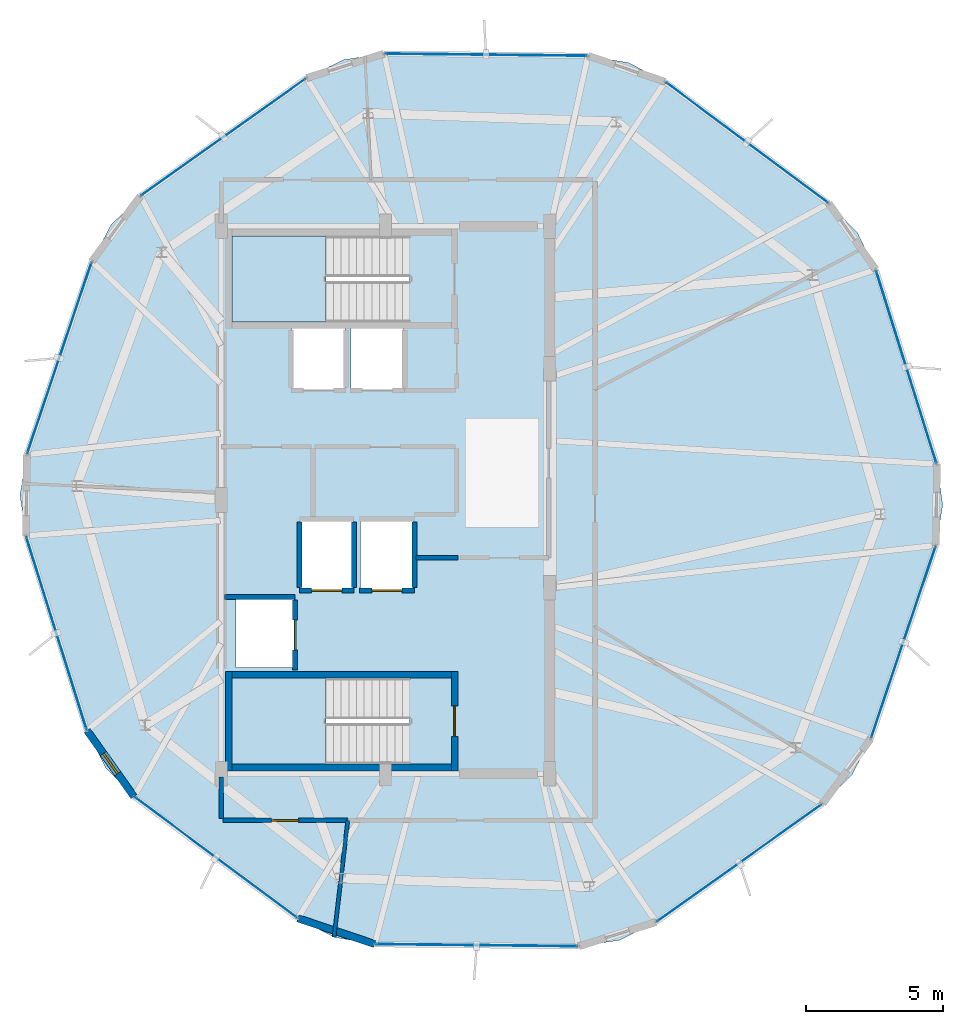
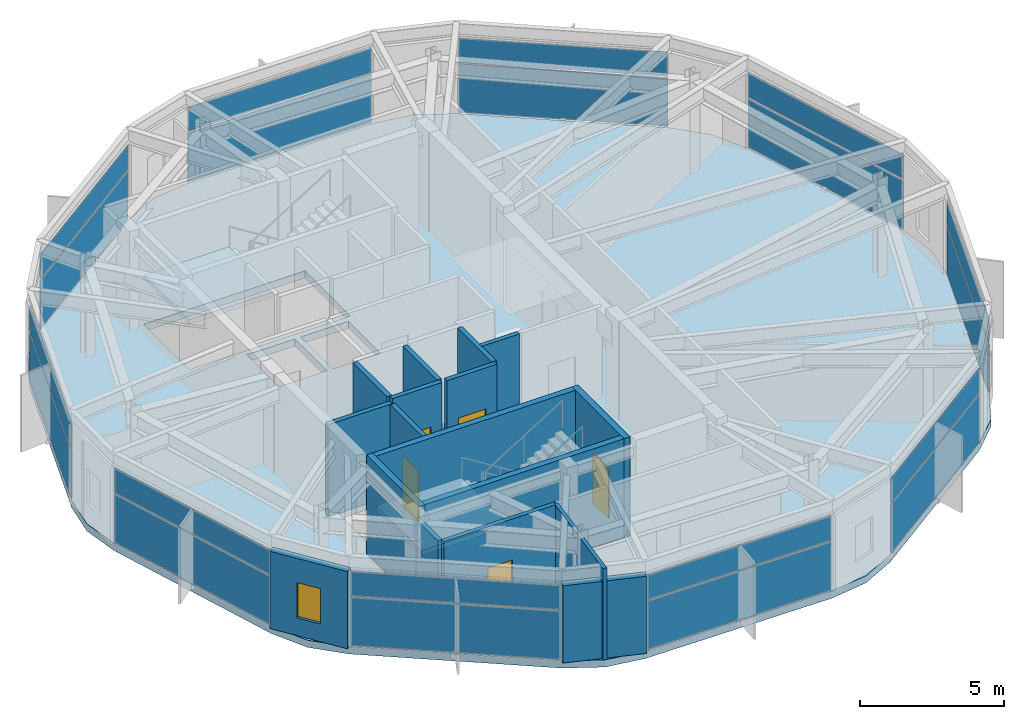
# One storey, part 14 of 19: 20 plates, 17 walls, 5 doors, 3 slabs, 1 window, 6 openings, 12 elements without a shape of their own.
"""IFC4 building model written with IfcOpenShell, lengths in metres."""

from ifc_helpers import new_model, si_unit, direction, frame, frame_2d, origin, origin_2d, place, context, subcontext, project, spatial, polyline, rectangle, outline, extrude, material, layer, layer_set, type_object, element, fill, aggregate, save


model = new_model("IFC4")

# Units and contexts
model_context = context("Model", 3, precision=1e-05, world=origin(), true_north=direction((0.0, 1.0)))
body_context = subcontext(model_context, "Body", "Model", "MODEL_VIEW")
ifc_project = project(units=[si_unit("LENGTHUNIT", "METRE"), si_unit("AREAUNIT", "SQUARE_METRE"), si_unit("VOLUMEUNIT", "CUBIC_METRE"), si_unit("PLANEANGLEUNIT", "RADIAN"), si_unit("MASSUNIT", "GRAM", prefix="KILO")], contexts=[model_context])

# Site, building, storey
site_placement = place(None, origin())
site = spatial("IfcSite", under=ifc_project, at=site_placement, CompositionType="ELEMENT")
building_placement = place(site_placement, origin())
building = spatial("IfcBuilding", under=site, at=building_placement, Name="Soratama Intermodal Tower", CompositionType="ELEMENT")
storey_placement = place(building_placement, frame((0.0, 0.0, 297.25)))
storey = spatial("IfcBuildingStorey", under=building, at=storey_placement, Name="L75", CompositionType="ELEMENT", Elevation=297.25)

# Curtain wall, plates
ifc_material_1 = material(Name="Double-glazed aluminium curtain wall", Category="aluminium")
ifc_layer_1 = layer(ifc_material_1, 0.159912109375)
ifc_layer_set_1 = layer_set([ifc_layer_1], Name="Double-glazed aluminium curtain wall")
curtain_wall_type = type_object("IfcCurtainWallType", Name="CW-SYS-6", PredefinedType="NOTDEFINED", material=ifc_layer_set_1)
curtain_wall_1_placement = place(storey_placement, origin())
curtain_wall_1 = element("IfcCurtainWall", 1, at=curtain_wall_1_placement, inside=storey, type_object=curtain_wall_type, Name="L75 Faceted Curtain Wall F01", PredefinedType="NOTDEFINED")
ifc_material_2 = material(Name="Low-E laminated double glazing", Category="glass")
ifc_layer_2 = layer(ifc_material_2, 0.01806640625)
ifc_layer_set_2 = layer_set([ifc_layer_2], Name="Low-E laminated double glazing")
plate_type = type_object("IfcPlateType", Name="PT-CWP-6", PredefinedType="CURTAIN_PANEL", material=ifc_layer_set_2)
plate_1_placement = place(storey_placement, frame((42.270263671875, 41.26220703125, 0.06005859375), z_axis=(0.0, 0.0, 1.0), x_axis=(-0.999945178506, 0.010470911273, 0.0)))
plate_1 = element("IfcPlate", 2, at=plate_1_placement, type_object=plate_type, Name="CW-6 panel 1.1", PredefinedType="CURTAIN_PANEL", context=body_context, shape_type="SweptSolid", body=[
    extrude(rectangle(XDim=7.3291015625, YDim=0.028076171875, at=origin_2d()), origin(), (0.0, 0.0, 1.0), 2.06005859375),
])
plate_2_placement = place(storey_placement, frame((42.270263671875, 41.26220703125, 2.18017578125), z_axis=(0.0, 0.0, 1.0), x_axis=(-0.999945178506, 0.010470911273, 0.0)))
plate_2 = element("IfcPlate", 3, at=plate_2_placement, type_object=plate_type, Name="CW-6 panel 1.2", PredefinedType="CURTAIN_PANEL", context=body_context, shape_type="SweptSolid", body=[
    extrude(rectangle(XDim=7.3291015625, YDim=0.028076171875, at=origin_2d()), origin(), (0.0, 0.0, 1.0), 1.033935546875),
])
aggregate(curtain_wall_1, [plate_1, plate_2])

curtain_wall_2_placement = place(storey_placement, origin())
curtain_wall_2 = element("IfcCurtainWall", 4, at=curtain_wall_2_placement, inside=storey, type_object=curtain_wall_type, Name="L75 Faceted Curtain Wall F02", PredefinedType="NOTDEFINED")
plate_3_placement = place(storey_placement, frame((32.67919921875, 38.256591796875, 0.06005859375), z_axis=(0.0, 0.0, 1.0), x_axis=(-0.815124359636, -0.579286007364, 0.0)))
plate_3 = element("IfcPlate", 5, at=plate_3_placement, type_object=plate_type, Name="CW-6 panel 1.1", PredefinedType="CURTAIN_PANEL", context=body_context, shape_type="SweptSolid", body=[
    extrude(rectangle(XDim=7.3291015625, YDim=0.028076171875, at=origin_2d()), origin(), (0.0, 0.0, 1.0), 2.06005859375),
])
plate_4_placement = place(storey_placement, frame((32.67919921875, 38.256591796875, 2.18017578125), z_axis=(0.0, 0.0, 1.0), x_axis=(-0.815124359636, -0.579286007364, 0.0)))
plate_4 = element("IfcPlate", 6, at=plate_4_placement, type_object=plate_type, Name="CW-6 panel 1.2", PredefinedType="CURTAIN_PANEL", context=body_context, shape_type="SweptSolid", body=[
    extrude(rectangle(XDim=7.3291015625, YDim=0.028076171875, at=origin_2d()), origin(), (0.0, 0.0, 1.0), 1.033935546875),
])
aggregate(curtain_wall_2, [plate_3, plate_4])

curtain_wall_3_placement = place(storey_placement, origin())
curtain_wall_3 = element("IfcCurtainWall", 7, at=curtain_wall_3_placement, inside=storey, type_object=curtain_wall_type, Name="L75 Faceted Curtain Wall F03", PredefinedType="NOTDEFINED")
plate_5_placement = place(storey_placement, frame((26.686279296875, 30.187255859375, 0.06005859375), z_axis=(0.0, 0.0, 1.0), x_axis=(-0.318960978899, -0.947767848125, 0.0)))
plate_5 = element("IfcPlate", 8, at=plate_5_placement, type_object=plate_type, Name="CW-6 panel 1.1", PredefinedType="CURTAIN_PANEL", context=body_context, shape_type="SweptSolid", body=[
    extrude(rectangle(XDim=7.3291015625, YDim=0.028076171875, at=origin_2d()), origin(), (0.0, 0.0, 1.0), 2.06005859375),
])
plate_6_placement = place(storey_placement, frame((26.686279296875, 30.187255859375, 2.18017578125), z_axis=(0.0, 0.0, 1.0), x_axis=(-0.318960978899, -0.947767848125, 0.0)))
plate_6 = element("IfcPlate", 9, at=plate_6_placement, type_object=plate_type, Name="CW-6 panel 1.2", PredefinedType="CURTAIN_PANEL", context=body_context, shape_type="SweptSolid", body=[
    extrude(rectangle(XDim=7.3291015625, YDim=0.028076171875, at=origin_2d()), origin(), (0.0, 0.0, 1.0), 1.033935546875),
])
aggregate(curtain_wall_3, [plate_5, plate_6])

curtain_wall_4_placement = place(storey_placement, origin())
curtain_wall_4 = element("IfcCurtainWall", 10, at=curtain_wall_4_placement, inside=storey, type_object=curtain_wall_type, Name="L75 Faceted Curtain Wall F04", PredefinedType="NOTDEFINED")
plate_7_placement = place(storey_placement, frame((26.5810546875, 20.13671875, 0.06005859375), z_axis=(0.0, 0.0, 1.0), x_axis=(0.299040035469, -0.954240565679, 0.0)))
plate_7 = element("IfcPlate", 11, at=plate_7_placement, type_object=plate_type, Name="CW-6 panel 1.1", PredefinedType="CURTAIN_PANEL", context=body_context, shape_type="SweptSolid", body=[
    extrude(rectangle(XDim=7.3291015625, YDim=0.028076171875, at=origin_2d()), origin(), (0.0, 0.0, 1.0), 2.06005859375),
])
plate_8_placement = place(storey_placement, frame((26.5810546875, 20.13671875, 2.18017578125), z_axis=(0.0, 0.0, 1.0), x_axis=(0.299040035469, -0.954240565679, 0.0)))
plate_8 = element("IfcPlate", 12, at=plate_8_placement, type_object=plate_type, Name="CW-6 panel 1.2", PredefinedType="CURTAIN_PANEL", context=body_context, shape_type="SweptSolid", body=[
    extrude(rectangle(XDim=7.3291015625, YDim=0.028076171875, at=origin_2d()), origin(), (0.0, 0.0, 1.0), 1.033935546875),
])
aggregate(curtain_wall_4, [plate_7, plate_8])

curtain_wall_5_placement = place(storey_placement, origin())
curtain_wall_5 = element("IfcCurtainWall", 13, at=curtain_wall_5_placement, inside=storey, type_object=curtain_wall_type, Name="L75 Faceted Curtain Wall F05", PredefinedType="NOTDEFINED")
plate_9_placement = place(storey_placement, frame((32.403564453125, 11.943603515625, 0.06005859375), z_axis=(0.0, 0.0, 1.0), x_axis=(0.802815080848, -0.596228098938, 0.0)))
plate_9 = element("IfcPlate", 14, at=plate_9_placement, type_object=plate_type, Name="CW-6 panel 1.1", PredefinedType="CURTAIN_PANEL", context=body_context, shape_type="SweptSolid", body=[
    extrude(rectangle(XDim=7.3291015625, YDim=0.028076171875, at=origin_2d()), origin(), (0.0, 0.0, 1.0), 2.06005859375),
])
plate_10_placement = place(storey_placement, frame((32.403564453125, 11.943603515625, 2.18017578125), z_axis=(0.0, 0.0, 1.0), x_axis=(0.802815080848, -0.596228098938, 0.0)))
plate_10 = element("IfcPlate", 15, at=plate_10_placement, type_object=plate_type, Name="CW-6 panel 1.2", PredefinedType="CURTAIN_PANEL", context=body_context, shape_type="SweptSolid", body=[
    extrude(rectangle(XDim=7.3291015625, YDim=0.028076171875, at=origin_2d()), origin(), (0.0, 0.0, 1.0), 1.033935546875),
])
aggregate(curtain_wall_5, [plate_9, plate_10])

curtain_wall_6_placement = place(storey_placement, origin())
curtain_wall_6 = element("IfcCurtainWall", 16, at=curtain_wall_6_placement, inside=storey, type_object=curtain_wall_type, Name="L75 Faceted Curtain Wall F06", PredefinedType="NOTDEFINED")
plate_11_placement = place(storey_placement, frame((41.9296875, 8.73779296875, 0.06005859375), z_axis=(0.0, 0.0, 1.0), x_axis=(0.999945178506, -0.010470911273, 0.0)))
plate_11 = element("IfcPlate", 17, at=plate_11_placement, type_object=plate_type, Name="CW-6 panel 1.1", PredefinedType="CURTAIN_PANEL", context=body_context, shape_type="SweptSolid", body=[
    extrude(rectangle(XDim=7.3291015625, YDim=0.028076171875, at=origin_2d()), origin(), (0.0, 0.0, 1.0), 2.06005859375),
])
plate_12_placement = place(storey_placement, frame((41.9296875, 8.73779296875, 2.18017578125), z_axis=(0.0, 0.0, 1.0), x_axis=(0.999945178506, -0.010470911273, 0.0)))
plate_12 = element("IfcPlate", 18, at=plate_12_placement, type_object=plate_type, Name="CW-6 panel 1.2", PredefinedType="CURTAIN_PANEL", context=body_context, shape_type="SweptSolid", body=[
    extrude(rectangle(XDim=7.3291015625, YDim=0.028076171875, at=origin_2d()), origin(), (0.0, 0.0, 1.0), 1.033935546875),
])
aggregate(curtain_wall_6, [plate_11, plate_12])

curtain_wall_7_placement = place(storey_placement, origin())
curtain_wall_7 = element("IfcCurtainWall", 19, at=curtain_wall_7_placement, inside=storey, type_object=curtain_wall_type, Name="L75 Faceted Curtain Wall F07", PredefinedType="NOTDEFINED")
plate_13_placement = place(storey_placement, frame((51.52099609375, 11.743408203125, 0.06005859375), z_axis=(0.0, 0.0, 1.0), x_axis=(0.815124359636, 0.579286007364, 0.0)))
plate_13 = element("IfcPlate", 20, at=plate_13_placement, type_object=plate_type, Name="CW-6 panel 1.1", PredefinedType="CURTAIN_PANEL", context=body_context, shape_type="SweptSolid", body=[
    extrude(rectangle(XDim=7.3291015625, YDim=0.028076171875, at=origin_2d()), origin(), (0.0, 0.0, 1.0), 2.06005859375),
])
plate_14_placement = place(storey_placement, frame((51.52099609375, 11.743408203125, 2.18017578125), z_axis=(0.0, 0.0, 1.0), x_axis=(0.815124359636, 0.579286007364, 0.0)))
plate_14 = element("IfcPlate", 21, at=plate_14_placement, type_object=plate_type, Name="CW-6 panel 1.2", PredefinedType="CURTAIN_PANEL", context=body_context, shape_type="SweptSolid", body=[
    extrude(rectangle(XDim=7.3291015625, YDim=0.028076171875, at=origin_2d()), origin(), (0.0, 0.0, 1.0), 1.033935546875),
])
aggregate(curtain_wall_7, [plate_13, plate_14])

curtain_wall_8_placement = place(storey_placement, origin())
curtain_wall_8 = element("IfcCurtainWall", 22, at=curtain_wall_8_placement, inside=storey, type_object=curtain_wall_type, Name="L75 Faceted Curtain Wall F08", PredefinedType="NOTDEFINED")
plate_15_placement = place(storey_placement, frame((57.513671875, 19.812744140625, 0.06005859375), z_axis=(0.0, 0.0, 1.0), x_axis=(0.318960978899, 0.947767848125, 0.0)))
plate_15 = element("IfcPlate", 23, at=plate_15_placement, type_object=plate_type, Name="CW-6 panel 1.1", PredefinedType="CURTAIN_PANEL", context=body_context, shape_type="SweptSolid", body=[
    extrude(rectangle(XDim=7.3291015625, YDim=0.028076171875, at=origin_2d()), origin(), (0.0, 0.0, 1.0), 2.06005859375),
])
plate_16_placement = place(storey_placement, frame((57.513671875, 19.812744140625, 2.18017578125), z_axis=(0.0, 0.0, 1.0), x_axis=(0.318960978899, 0.947767848125, 0.0)))
plate_16 = element("IfcPlate", 24, at=plate_16_placement, type_object=plate_type, Name="CW-6 panel 1.2", PredefinedType="CURTAIN_PANEL", context=body_context, shape_type="SweptSolid", body=[
    extrude(rectangle(XDim=7.3291015625, YDim=0.028076171875, at=origin_2d()), origin(), (0.0, 0.0, 1.0), 1.033935546875),
])
aggregate(curtain_wall_8, [plate_15, plate_16])

curtain_wall_9_placement = place(storey_placement, origin())
curtain_wall_9 = element("IfcCurtainWall", 25, at=curtain_wall_9_placement, inside=storey, type_object=curtain_wall_type, Name="L75 Faceted Curtain Wall F09", PredefinedType="NOTDEFINED")
plate_17_placement = place(storey_placement, frame((57.618896484375, 29.86328125, 0.06005859375), z_axis=(0.0, 0.0, 1.0), x_axis=(-0.299040035469, 0.954240565679, 0.0)))
plate_17 = element("IfcPlate", 26, at=plate_17_placement, type_object=plate_type, Name="CW-6 panel 1.1", PredefinedType="CURTAIN_PANEL", context=body_context, shape_type="SweptSolid", body=[
    extrude(rectangle(XDim=7.3291015625, YDim=0.028076171875, at=origin_2d()), origin(), (0.0, 0.0, 1.0), 2.06005859375),
])
plate_18_placement = place(storey_placement, frame((57.618896484375, 29.86328125, 2.18017578125), z_axis=(0.0, 0.0, 1.0), x_axis=(-0.299040035469, 0.954240565679, 0.0)))
plate_18 = element("IfcPlate", 27, at=plate_18_placement, type_object=plate_type, Name="CW-6 panel 1.2", PredefinedType="CURTAIN_PANEL", context=body_context, shape_type="SweptSolid", body=[
    extrude(rectangle(XDim=7.3291015625, YDim=0.028076171875, at=origin_2d()), origin(), (0.0, 0.0, 1.0), 1.033935546875),
])
aggregate(curtain_wall_9, [plate_17, plate_18])

curtain_wall_10_placement = place(storey_placement, origin())
curtain_wall_10 = element("IfcCurtainWall", 28, at=curtain_wall_10_placement, inside=storey, type_object=curtain_wall_type, Name="L75 Faceted Curtain Wall F10", PredefinedType="NOTDEFINED")
plate_19_placement = place(storey_placement, frame((51.79638671875, 38.056396484375, 0.06005859375), z_axis=(0.0, 0.0, 1.0), x_axis=(-0.802815080848, 0.596228098938, 0.0)))
plate_19 = element("IfcPlate", 29, at=plate_19_placement, type_object=plate_type, Name="CW-6 panel 1.1", PredefinedType="CURTAIN_PANEL", context=body_context, shape_type="SweptSolid", body=[
    extrude(rectangle(XDim=7.3291015625, YDim=0.028076171875, at=origin_2d()), origin(), (0.0, 0.0, 1.0), 2.06005859375),
])
plate_20_placement = place(storey_placement, frame((51.79638671875, 38.056396484375, 2.18017578125), z_axis=(0.0, 0.0, 1.0), x_axis=(-0.802815080848, 0.596228098938, 0.0)))
plate_20 = element("IfcPlate", 30, at=plate_20_placement, type_object=plate_type, Name="CW-6 panel 1.2", PredefinedType="CURTAIN_PANEL", context=body_context, shape_type="SweptSolid", body=[
    extrude(rectangle(XDim=7.3291015625, YDim=0.028076171875, at=origin_2d()), origin(), (0.0, 0.0, 1.0), 1.033935546875),
])
aggregate(curtain_wall_10, [plate_19, plate_20])

# Slab
ifc_material_3 = material(Name="Concrete f'c 42 MPa", Category="concrete")
ifc_layer_3 = layer(ifc_material_3, 0.260009765625)
ifc_layer_set_3 = layer_set([ifc_layer_3], Name="Concrete f'c 42 MPa")
slab_type_1 = type_object("IfcSlabType", Name="SL-CRN-260", PredefinedType="FLOOR", material=ifc_layer_set_3)
slab_1_placement = place(storey_placement, frame((0.0, 0.0, -0.304931640625)))
element("IfcSlab", 31, at=slab_1_placement, inside=storey, type_object=slab_type_1, Name="L75 Structural Floor Slab", PredefinedType="FLOOR", context=body_context, shape_type="SweptSolid", body=[
    extrude(outline(polyline([(48.806396484375, 40.277099609375), (47.475341796875, 40.97265625), (45.99462890625, 41.22314453125), (38.5458984375, 41.30126953125), (37.060302734375, 41.081787109375), (35.715087890625, 40.4140625), (29.64306640625, 36.098876953125), (28.570068359375, 35.048095703125), (27.87451171875, 33.71728515625), (25.498291015625, 26.6572265625), (25.247802734375, 25.176513671875), (25.46728515625, 23.69091796875), (27.69482421875, 16.58251953125), (28.36279296875, 15.2373046875), (29.413330078125, 14.164306640625), (35.393798828125, 9.722900390625), (36.724609375, 9.02734375), (38.205322265625, 8.77685546875), (45.654052734375, 8.69873046875), (47.1396484375, 8.918212890625), (48.48486328125, 9.5859375), (54.556884765625, 13.901123046875), (55.6298828125, 14.951904296875), (56.32568359375, 16.28271484375), (58.70166015625, 23.3427734375), (58.9521484375, 24.823486328125), (58.732666015625, 26.30908203125), (56.505126953125, 33.41748046875), (55.83740234375, 34.7626953125), (54.78662109375, 35.835693359375), (48.806396484375, 40.277099609375)]), holes=[polyline([(33.0, 15.35009765625), (39.47509765625, 15.35009765625), (39.47509765625, 18.5), (33.0, 18.5), (33.0, 15.35009765625)]), polyline([(35.260009765625, 21.409912109375), (33.139892578125, 21.409912109375), (33.139892578125, 18.889892578125), (35.260009765625, 18.889892578125), (35.260009765625, 21.409912109375)]), polyline([(37.409912109375, 24.260009765625), (35.489990234375, 24.260009765625), (35.489990234375, 21.739990234375), (37.409912109375, 21.739990234375), (37.409912109375, 24.260009765625)]), polyline([(39.610107421875, 24.260009765625), (37.68994140625, 24.260009765625), (37.68994140625, 21.739990234375), (39.610107421875, 21.739990234375), (39.610107421875, 24.260009765625)]), polyline([(37.110107421875, 31.260009765625), (35.18994140625, 31.260009765625), (35.18994140625, 29.0400390625), (37.110107421875, 29.0400390625), (37.110107421875, 31.260009765625)]), polyline([(39.260009765625, 31.260009765625), (37.340087890625, 31.260009765625), (37.340087890625, 29.0400390625), (39.260009765625, 29.0400390625), (39.260009765625, 31.260009765625)]), polyline([(33.0, 34.64990234375), (33.0, 31.5), (39.47509765625, 31.5), (39.47509765625, 34.64990234375), (33.0, 34.64990234375)])]), origin(), (0.0, 0.0, 1.0), 0.304931640625),
])

# Stair, slab
ifc_material_4 = material(Name="Concrete f'c 42 MPa", Category="concrete")
stair_type = type_object("IfcStairType", Name="ST-CORE-DOGLEG", PredefinedType="HALF_TURN_STAIR", material=ifc_material_4)
stair_1_placement = place(storey_placement, origin())
stair_1 = element("IfcStair", 32, at=stair_1_placement, inside=storey, type_object=stair_type, Name="L75 ST-1", PredefinedType="HALF_TURN_STAIR")
ifc_material_5 = material(Name="Concrete f'c 42 MPa", Category="concrete")
ifc_layer_4 = layer(ifc_material_5, 0.219970703125)
ifc_layer_set_4 = layer_set([ifc_layer_4], Name="Concrete f'c 42 MPa")
slab_type_2 = type_object("IfcSlabType", Name="SL-STAIR-LAND", PredefinedType="LANDING", material=ifc_layer_set_4)
slab_2_placement = place(storey_placement, frame((0.0, 0.0, 1.89990234375)))
slab_2 = element("IfcSlab", 33, at=slab_2_placement, type_object=slab_type_2, Name="ST-1 landing 1", PredefinedType="LANDING", context=body_context, shape_type="SweptSolid", body=[
    extrude(outline(polyline([(36.419921875, 18.5), (33.0, 18.5), (33.0, 15.35009765625), (36.419921875, 15.35009765625), (36.419921875, 18.5)])), origin(), (0.0, 0.0, 1.0), 0.2001953125),
])
aggregate(stair_1, [slab_2])

stair_2_placement = place(storey_placement, origin())
stair_2 = element("IfcStair", 34, at=stair_2_placement, inside=storey, type_object=stair_type, Name="L75 ST-2", PredefinedType="HALF_TURN_STAIR")
slab_3_placement = place(storey_placement, frame((0.0, 0.0, 1.89990234375)))
slab_3 = element("IfcSlab", 35, at=slab_3_placement, type_object=slab_type_2, Name="ST-2 landing 1", PredefinedType="LANDING", context=body_context, shape_type="SweptSolid", body=[
    extrude(outline(polyline([(36.419921875, 34.64990234375), (33.0, 34.64990234375), (33.0, 31.5), (36.419921875, 31.5), (36.419921875, 34.64990234375)])), origin(), (0.0, 0.0, 1.0), 0.2001953125),
])
aggregate(stair_2, [slab_3])

# Wall, opening, window
ifc_material_6 = material(Name="Concrete f'c 42 MPa", Category="concrete")
ifc_layer_5 = layer(ifc_material_6, 0.27001953125)
ifc_layer_set_5 = layer_set([ifc_layer_5], Name="Concrete f'c 42 MPa")
wall_type_1 = type_object("IfcWallType", Name="EW-CRN-270", PredefinedType="SOLIDWALL", material=ifc_layer_set_5)
wall_1_placement = place(storey_placement, frame((27.69482421875, 16.58251953125, 0.0), z_axis=(0.0, 0.0, 1.0), x_axis=(0.579274768915, -0.81513234637, 0.0)))
wall_1 = element("IfcWall", 36, at=wall_1_placement, inside=storey, type_object=wall_type_1, Name="L75 Corner Closure Wall 04", PredefinedType="SOLIDWALL", context=body_context, shape_type="SweptSolid", body=[
    extrude(rectangle(XDim=2.966552734375, YDim=0.27001953125, at=frame_2d((1.4833984375, 0.0))), origin(), (0.0, 0.0, 1.0), 3.27392578125),
])
opening_1_placement = place(wall_1_placement, frame((1.033203125, 0.0, 0.75)))
opening_1 = element("IfcOpeningElement", 37, at=opening_1_placement, cuts=wall_1, Name="Opening WN-6", PredefinedType="OPENING", context=body_context, shape_type="SweptSolid", body=[
    extrude(rectangle(XDim=0.89990234375, YDim=1.5, at=frame_2d((0.449951171875, 0.75))), frame((0.0, 0.14501953125, 0.0), z_axis=(0.0, -1.0, 0.0), x_axis=(1.0, 0.0, 0.0)), (0.0, 0.0, 1.0), 0.2900390625),
])
ifc_material_7 = material(Name="Double-glazed aluminium window", Category="aluminium")
window_type = type_object("IfcWindowType", Name="WN-FAC-900", PartitioningType="SINGLE_PANEL", PredefinedType="WINDOW", material=ifc_material_7)
window_placement = place(opening_1_placement, origin())
window = element("IfcWindow", 38, at=window_placement, inside=storey, type_object=window_type, Name="L75 Corner Window 04", OverallHeight=1.5, OverallWidth=0.89990234375, PartitioningType="SINGLE_PANEL", PredefinedType="WINDOW", context=body_context, shape_type="SweptSolid", body=[
    extrude(rectangle(XDim=0.89990234375, YDim=1.5, at=frame_2d((0.449951171875, 0.75))), frame((0.0, 0.030029296875, 0.0), z_axis=(0.0, -1.0, 0.0), x_axis=(1.0, 0.0, 0.0)), (0.0, 0.0, 1.0), 0.06005859375),
])
fill(opening_1, window)

# Wall
wall_2_placement = place(storey_placement, frame((35.393798828125, 9.722900390625, 0.0), z_axis=(0.0, 0.0, 1.0), x_axis=(0.947782395964, -0.31891774786, 0.0)))
element("IfcWall", 39, at=wall_2_placement, inside=storey, type_object=wall_type_1, Name="L75 Corner Closure Wall 05", PredefinedType="SOLIDWALL", context=body_context, shape_type="SweptSolid", body=[
    extrude(rectangle(XDim=2.96630859375, YDim=0.27001953125, at=frame_2d((1.483154296875, 0.0))), origin(), (0.0, 0.0, 1.0), 3.27392578125),
])

# Wall, opening, door
ifc_material_8 = material(Name="Fire-rated gypsum stud partition", Category="concrete")
ifc_layer_6 = layer(ifc_material_8, 0.169921875)
ifc_layer_set_6 = layer_set([ifc_layer_6], Name="Fire-rated gypsum stud partition")
wall_type_2 = type_object("IfcWallType", Name="IW-PART-R170", PredefinedType="PARTITIONING", material=ifc_layer_set_6)
wall_3_placement = place(storey_placement, frame((37.220947265625, 13.300048828125, 0.0), z_axis=(0.0, 0.0, 1.0), x_axis=(-1.0, 0.0, 0.0)))
wall_3 = element("IfcWall", 40, at=wall_3_placement, inside=storey, type_object=wall_type_2, Name="L75 Partition W-L75-TP012", PredefinedType="PARTITIONING", context=body_context, shape_type="SweptSolid", body=[
    extrude(rectangle(XDim=4.551025390625, YDim=0.169921875, at=frame_2d((2.275390625, 0.0))), origin(), (0.0, 0.0, 1.0), 3.89501953125),
])
opening_2_placement = place(wall_3_placement, frame((1.800048828125, 0.0, 0.0)))
opening_2 = element("IfcOpeningElement", 41, at=opening_2_placement, cuts=wall_3, Name="Opening ID-5", PredefinedType="OPENING", context=body_context, shape_type="SweptSolid", body=[
    extrude(rectangle(XDim=0.97998046875, YDim=2.14990234375, at=frame_2d((0.489990234375, 1.074951171875))), frame((0.0, 0.094970703125, 0.0), z_axis=(0.0, -1.0, 0.0), x_axis=(1.0, 0.0, 0.0)), (0.0, 0.0, 1.0), 0.18994140625),
])
ifc_material_9 = material(Name="Solid hardwood acoustic door", Category="wood")
door_type_1 = type_object("IfcDoorType", Name="DR-OFF-980", OperationType="NOTDEFINED", PredefinedType="DOOR", material=ifc_material_9)
door_1_placement = place(opening_2_placement, origin())
door_1 = element("IfcDoor", 42, at=door_1_placement, inside=storey, type_object=door_type_1, Name="L75 Door D-L75-TP007", OperationType="SINGLE_SWING_RIGHT", OverallHeight=2.14990234375, OverallWidth=0.97998046875, PredefinedType="DOOR", context=body_context, shape_type="SweptSolid", body=[
    extrude(rectangle(XDim=0.97998046875, YDim=2.14990234375, at=frame_2d((0.489990234375, 1.074951171875))), frame((0.0, 0.02490234375, 0.0), z_axis=(0.0, -1.0, 0.0), x_axis=(1.0, 0.0, 0.0)), (0.0, 0.0, 1.0), 0.050048828125),
])
fill(opening_2, door_1)

# Walls
wall_4_placement = place(storey_placement, frame((39.719970703125, 22.889892578125, 0.0), z_axis=(0.0, 0.0, 1.0), x_axis=(1.0, 0.0, 0.0)))
element("IfcWall", 43, at=wall_4_placement, inside=storey, type_object=wall_type_2, Name="L75 Partition W-L75-TP021", PredefinedType="PARTITIONING", context=body_context, shape_type="SweptSolid", body=[
    extrude(rectangle(XDim=1.52001953125, YDim=0.169921875, at=frame_2d((0.760009765625, 0.0))), origin(), (0.0, 0.0, 1.0), 3.89501953125),
])
wall_5_placement = place(storey_placement, frame((32.60009765625, 13.3701171875, 0.0), z_axis=(0.0, 0.0, 1.0), x_axis=(0.0, 1.0, 0.0)))
element("IfcWall", 44, at=wall_5_placement, inside=storey, type_object=wall_type_2, Name="L75 Partition W-L75-TP023", PredefinedType="PARTITIONING", context=body_context, shape_type="SweptSolid", body=[
    extrude(rectangle(XDim=1.509765625, YDim=0.169921875, at=frame_2d((0.7548828125, 0.0))), origin(), (0.0, 0.0, 1.0), 3.89501953125),
])
ifc_material_10 = material(Name="Fire-rated gypsum stud partition", Category="concrete")
ifc_layer_7 = layer(ifc_material_10, 0.139892578125)
ifc_layer_set_7 = layer_set([ifc_layer_7], Name="Fire-rated gypsum stud partition")
wall_type_3 = type_object("IfcWallType", Name="IW-PART-S140", PredefinedType="PARTITIONING", material=ifc_layer_set_7)
wall_6_placement = place(storey_placement, frame((37.220947265625, 13.300048828125, 0.0), z_axis=(0.0, 0.0, 1.0), x_axis=(-0.116973029666, -0.993135091682, 0.0)))
element("IfcWall", 45, at=wall_6_placement, inside=storey, type_object=wall_type_3, Name="L75 Partition W-L75-TP014", PredefinedType="PARTITIONING", context=body_context, shape_type="SweptSolid", body=[
    extrude(rectangle(XDim=4.299560546875, YDim=0.139892578125, at=frame_2d((2.14990234375, 0.0))), origin(), (0.0, 0.0, 1.0), 3.89501953125),
])

# Wall, opening, door
ifc_material_11 = material(Name="Concrete f'c 42 MPa", Category="concrete")
ifc_layer_8 = layer(ifc_material_11, 0.18505859375)
ifc_layer_set_8 = layer_set([ifc_layer_8], Name="Concrete f'c 42 MPa")
wall_type_4 = type_object("IfcWallType", Name="IW-SHAFT-185", PredefinedType="SOLIDWALL", material=ifc_layer_set_8)
wall_7_placement = place(storey_placement, frame((35.449951171875, 21.699951171875, 0.0), z_axis=(0.0, 0.0, 1.0), x_axis=(1.0, 0.0, 0.0)))
wall_7 = element("IfcWall", 46, at=wall_7_placement, inside=storey, type_object=wall_type_4, Name="L75 FFL-1 Hoistway Wall S", PredefinedType="SOLIDWALL", context=body_context, shape_type="SweptSolid", body=[
    extrude(rectangle(XDim=2.0, YDim=0.18505859375, at=frame_2d((1.0, 0.0))), origin(), (0.0, 0.0, 1.0), 3.89501953125),
])
opening_3_placement = place(wall_7_placement, frame((0.449951171875, 0.0, 0.0)))
opening_3 = element("IfcOpeningElement", 47, at=opening_3_placement, cuts=wall_7, Name="Opening LD-1", PredefinedType="OPENING", context=body_context, shape_type="SweptSolid", body=[
    extrude(rectangle(XDim=1.10009765625, YDim=2.14990234375, at=frame_2d((0.550048828125, 1.074951171875))), frame((0.0, 0.1025390625, 0.0), z_axis=(0.0, -1.0, 0.0), x_axis=(1.0, 0.0, 0.0)), (0.0, 0.0, 1.0), 0.205078125),
])
ifc_material_12 = material(Name="Steel fire door", Category="steel")
door_type_2 = type_object("IfcDoorType", Name="DR-LIFT-SLIDE", OperationType="NOTDEFINED", PredefinedType="DOOR", material=ifc_material_12)
door_2_placement = place(opening_3_placement, origin())
door_2 = element("IfcDoor", 48, at=door_2_placement, inside=storey, type_object=door_type_2, Name="L75 FFL-1 Sliding Landing Door", OperationType="SLIDING_TO_LEFT", OverallHeight=2.14990234375, OverallWidth=1.10009765625, PredefinedType="DOOR", context=body_context, shape_type="SweptSolid", body=[
    extrude(rectangle(XDim=1.10009765625, YDim=2.14990234375, at=frame_2d((0.550048828125, 1.074951171875))), frame((0.0, 0.02490234375, 0.0), z_axis=(0.0, -1.0, 0.0), x_axis=(1.0, 0.0, 0.0)), (0.0, 0.0, 1.0), 0.050048828125),
])
fill(opening_3, door_2)

# Walls
for number, where, z_axis, x_axis, name in (
    (49, (35.449951171875, 21.81005859375, 0.0), (0.0, 0.0, 1.0), (0.0, 1.0, 0.0), "L75 FFL-1 Hoistway Wall W"),
    (50, (37.449951171875, 21.81005859375, 0.0), (0.0, 0.0, 1.0), (0.0, 1.0, 0.0), "L75 FFL-1 Hoistway Wall E"),
):
    element("IfcWall", number, at=place(storey_placement, frame(where, z_axis=z_axis, x_axis=x_axis)), inside=storey, type_object=wall_type_4, Name=name, PredefinedType="SOLIDWALL", context=body_context, shape_type="SweptSolid", body=[
        extrude(rectangle(XDim=2.3798828125, YDim=0.18505859375, at=frame_2d((1.18994140625, 0.0))), origin(), (0.0, 0.0, 1.0), 3.89501953125),
    ])

# Wall, opening, door
wall_8_placement = place(storey_placement, frame((37.64990234375, 21.699951171875, 0.0), z_axis=(0.0, 0.0, 1.0), x_axis=(1.0, 0.0, 0.0)))
wall_8 = element("IfcWall", 51, at=wall_8_placement, inside=storey, type_object=wall_type_4, Name="L75 FFL-2 Hoistway Wall S", PredefinedType="SOLIDWALL", context=body_context, shape_type="SweptSolid", body=[
    extrude(rectangle(XDim=2.0, YDim=0.18505859375, at=frame_2d((1.0, 0.0))), origin(), (0.0, 0.0, 1.0), 3.89501953125),
])
opening_4_placement = place(wall_8_placement, frame((0.449951171875, 0.0, 0.0)))
opening_4 = element("IfcOpeningElement", 52, at=opening_4_placement, cuts=wall_8, Name="Opening LD-1", PredefinedType="OPENING", context=body_context, shape_type="SweptSolid", body=[
    extrude(rectangle(XDim=1.10009765625, YDim=2.14990234375, at=frame_2d((0.550048828125, 1.074951171875))), frame((0.0, 0.1025390625, 0.0), z_axis=(0.0, -1.0, 0.0), x_axis=(1.0, 0.0, 0.0)), (0.0, 0.0, 1.0), 0.205078125),
])
door_3_placement = place(opening_4_placement, origin())
door_3 = element("IfcDoor", 53, at=door_3_placement, inside=storey, type_object=door_type_2, Name="L75 FFL-2 Sliding Landing Door", OperationType="SLIDING_TO_LEFT", OverallHeight=2.14990234375, OverallWidth=1.10009765625, PredefinedType="DOOR", context=body_context, shape_type="SweptSolid", body=[
    extrude(rectangle(XDim=1.10009765625, YDim=2.14990234375, at=frame_2d((0.550048828125, 1.074951171875))), frame((0.0, 0.02490234375, 0.0), z_axis=(0.0, -1.0, 0.0), x_axis=(1.0, 0.0, 0.0)), (0.0, 0.0, 1.0), 0.050048828125),
])
fill(opening_4, door_3)

# Walls
wall_9_placement = place(storey_placement, frame((39.64990234375, 21.81005859375, 0.0), z_axis=(0.0, 0.0, 1.0), x_axis=(0.0, 1.0, 0.0)))
element("IfcWall", 54, at=wall_9_placement, inside=storey, type_object=wall_type_4, Name="L75 FFL-2 Hoistway Wall E", PredefinedType="SOLIDWALL", context=body_context, shape_type="SweptSolid", body=[
    extrude(rectangle(XDim=2.3798828125, YDim=0.18505859375, at=frame_2d((1.18994140625, 0.0))), origin(), (0.0, 0.0, 1.0), 3.89501953125),
])
wall_10_placement = place(storey_placement, frame((32.719970703125, 21.449951171875, 0.0), z_axis=(0.0, 0.0, 1.0), x_axis=(1.0, 0.0, 0.0)))
element("IfcWall", 55, at=wall_10_placement, inside=storey, type_object=wall_type_4, Name="L75 SVL-1 Hoistway Wall N", PredefinedType="SOLIDWALL", context=body_context, shape_type="SweptSolid", body=[
    extrude(rectangle(XDim=2.580078125, YDim=0.18505859375, at=frame_2d((1.2900390625, 0.0))), origin(), (0.0, 0.0, 1.0), 3.89501953125),
])

# Wall, opening, door
wall_11_placement = place(storey_placement, frame((35.300048828125, 18.7900390625, 0.0), z_axis=(0.0, 0.0, 1.0), x_axis=(0.0, 1.0, 0.0)))
wall_11 = element("IfcWall", 56, at=wall_11_placement, inside=storey, type_object=wall_type_4, Name="L75 SVL-1 Hoistway Wall E", PredefinedType="SOLIDWALL", context=body_context, shape_type="SweptSolid", body=[
    extrude(rectangle(XDim=2.550048828125, YDim=0.18505859375, at=frame_2d((1.27490234375, 0.0))), origin(), (0.0, 0.0, 1.0), 3.89501953125),
])
opening_5_placement = place(wall_11_placement, frame((0.72509765625, 0.0, 0.0)))
opening_5 = element("IfcOpeningElement", 57, at=opening_5_placement, cuts=wall_11, Name="Opening LD-1", PredefinedType="OPENING", context=body_context, shape_type="SweptSolid", body=[
    extrude(rectangle(XDim=1.10009765625, YDim=2.14990234375, at=frame_2d((0.550048828125, 1.074951171875))), frame((0.0, 0.1025390625, 0.0), z_axis=(0.0, -1.0, 0.0), x_axis=(1.0, 0.0, 0.0)), (0.0, 0.0, 1.0), 0.205078125),
])
door_4_placement = place(opening_5_placement, origin())
door_4 = element("IfcDoor", 58, at=door_4_placement, inside=storey, type_object=door_type_2, Name="L75 SVL-1 Sliding Landing Door", OperationType="SLIDING_TO_LEFT", OverallHeight=2.14990234375, OverallWidth=1.10009765625, PredefinedType="DOOR", context=body_context, shape_type="SweptSolid", body=[
    extrude(rectangle(XDim=1.10009765625, YDim=2.14990234375, at=frame_2d((0.550048828125, 1.074951171875))), frame((0.0, 0.02490234375, 0.0), z_axis=(0.0, -1.0, 0.0), x_axis=(1.0, 0.0, 0.0)), (0.0, 0.0, 1.0), 0.050048828125),
])
fill(opening_5, door_4)

# Wall
ifc_material_13 = material(Name="Concrete f'c 56 MPa", Category="concrete")
ifc_layer_9 = layer(ifc_material_13, 0.239990234375)
ifc_layer_set_9 = layer_set([ifc_layer_9], Name="Concrete f'c 56 MPa")
wall_type_5 = type_object("IfcWallType", Name="SW-STAIR-240", PredefinedType="SHEAR", material=ifc_layer_set_9)
wall_12_placement = place(storey_placement, frame((32.8798828125, 15.110107421875, 0.0), z_axis=(0.0, 0.0, 1.0), x_axis=(0.0, 1.0, 0.0)))
element("IfcWall", 59, at=wall_12_placement, inside=storey, type_object=wall_type_5, Name="L75 ST-1 Shaft Shear Wall W", PredefinedType="SHEAR", context=body_context, shape_type="SweptSolid", body=[
    extrude(rectangle(XDim=3.6298828125, YDim=0.239990234375, at=frame_2d((1.81494140625, 0.0))), origin(), (0.0, 0.0, 1.0), 4.199951171875),
])

# Wall, opening, door
wall_13_placement = place(storey_placement, frame((41.1201171875, 15.110107421875, 0.0), z_axis=(0.0, 0.0, 1.0), x_axis=(0.0, 1.0, 0.0)))
wall_13 = element("IfcWall", 60, at=wall_13_placement, inside=storey, type_object=wall_type_5, Name="L75 ST-1 Shaft Shear Wall E", PredefinedType="SHEAR", context=body_context, shape_type="SweptSolid", body=[
    extrude(rectangle(XDim=3.6298828125, YDim=0.239990234375, at=frame_2d((1.81494140625, 0.0))), origin(), (0.0, 0.0, 1.0), 4.199951171875),
])
opening_6_placement = place(wall_13_placement, frame((1.2548828125, 0.0, 0.0)))
opening_6 = element("IfcOpeningElement", 61, at=opening_6_placement, cuts=wall_13, Name="Opening SD-1", PredefinedType="OPENING", context=body_context, shape_type="SweptSolid", body=[
    extrude(rectangle(XDim=1.1201171875, YDim=2.14990234375, at=frame_2d((0.56005859375, 1.074951171875))), frame((0.0, 0.1298828125, 0.0), z_axis=(0.0, -1.0, 0.0), x_axis=(1.0, 0.0, 0.0)), (0.0, 0.0, 1.0), 0.260009765625),
])
ifc_material_14 = material(Name="Steel fire door", Category="steel")
door_type_3 = type_object("IfcDoorType", Name="DR-STAIR-FD90", OperationType="NOTDEFINED", PredefinedType="DOOR", material=ifc_material_14)
door_5_placement = place(opening_6_placement, origin())
door_5 = element("IfcDoor", 62, at=door_5_placement, inside=storey, type_object=door_type_3, Name="L75 ST-1 Exit Stair Door", OperationType="SINGLE_SWING_LEFT", OverallHeight=2.14990234375, OverallWidth=1.1201171875, PredefinedType="DOOR", context=body_context, shape_type="SweptSolid", body=[
    extrude(rectangle(XDim=1.1201171875, YDim=2.14990234375, at=frame_2d((0.56005859375, 1.074951171875))), frame((0.0, 0.02490234375, 0.0), z_axis=(0.0, -1.0, 0.0), x_axis=(1.0, 0.0, 0.0)), (0.0, 0.0, 1.0), 0.050048828125),
])
fill(opening_6, door_5)

# Walls
for number, where, z_axis, x_axis, name in (
    (63, (33.0, 15.22998046875, 0.0), (0.0, 0.0, 1.0), (1.0, 0.0, 0.0), "L75 ST-1 Shaft Shear Wall S"),
    (64, (33.0, 18.6201171875, 0.0), (0.0, 0.0, 1.0), (1.0, 0.0, 0.0), "L75 ST-1 Shaft Shear Wall N"),
):
    element("IfcWall", number, at=place(storey_placement, frame(where, z_axis=z_axis, x_axis=x_axis)), inside=storey, type_object=wall_type_5, Name=name, PredefinedType="SHEAR", context=body_context, shape_type="SweptSolid", body=[
        extrude(rectangle(XDim=8.0, YDim=0.239990234375, at=frame_2d((4.0, 0.0))), origin(), (0.0, 0.0, 1.0), 4.199951171875),
    ])

save(model, "model.ifc")
